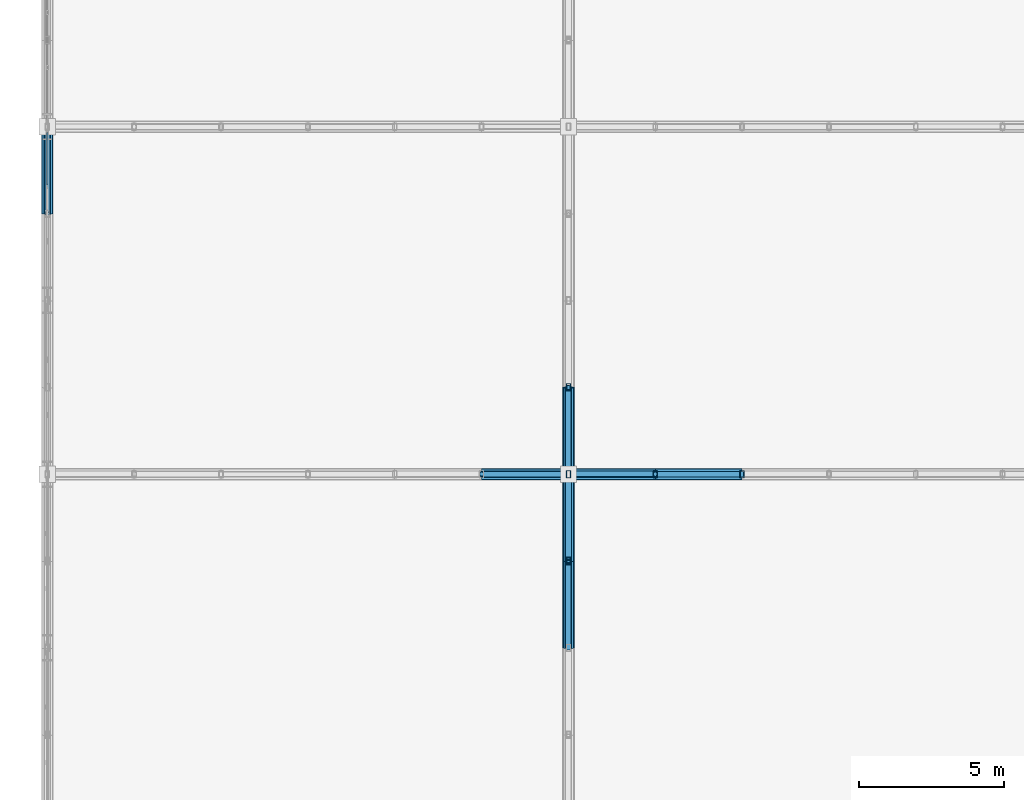
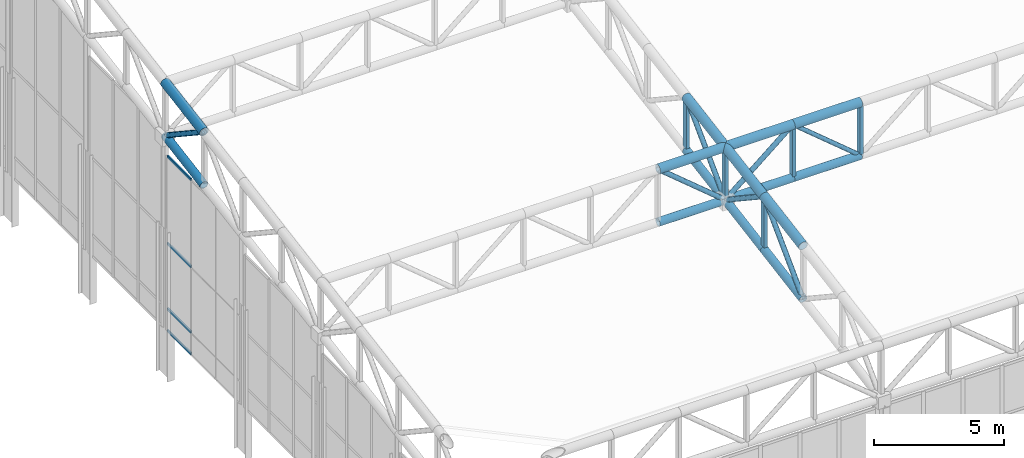
# One storey, part 39 of 239: 30 members, 1 element without a shape of its own.
"""IFC4 building model written with IfcOpenShell, lengths in metres."""

from ifc_helpers import new_model, si_unit, direction, frame, origin, origin_2d, place, context, subcontext, project, spatial, hollow_rectangle, hollow_circle, extrude, material, material_profile, profile_set, type_object, element, aggregate, save


model = new_model("IFC4")

# Units and contexts
model_context = context("Model", 3, precision=1e-05, world=origin(), true_north=direction((0.0, 1.0)))
body_context = subcontext(model_context, "Body", "Model", "MODEL_VIEW")
ifc_project = project(units=[si_unit("LENGTHUNIT", "METRE"), si_unit("AREAUNIT", "SQUARE_METRE"), si_unit("VOLUMEUNIT", "CUBIC_METRE"), si_unit("PLANEANGLEUNIT", "RADIAN"), si_unit("MASSUNIT", "GRAM", prefix="KILO")], contexts=[model_context])

# Site, building, storey
site_placement = place(None, origin())
site = spatial("IfcSite", under=ifc_project, at=site_placement, CompositionType="ELEMENT")
building_placement = place(site_placement, origin())
building = spatial("IfcBuilding", under=site, at=building_placement, Name="Kaldris Quays Convention Centre", CompositionType="ELEMENT")
storey_placement = place(building_placement, frame((0.0, 0.0, 11.39990234375)))
storey = spatial("IfcBuildingStorey", under=building, at=storey_placement, Name="L02", CompositionType="ELEMENT", Elevation=11.39990234375)

# Curtain wall, members
ifc_material_1 = material(Name="Anodized aluminium AW-6060 and triple glazing", Category="aluminium")
curtain_wall_type = type_object("IfcCurtainWallType", Name="UNITISED CURTAIN WALL CW03", PredefinedType="NOTDEFINED", material=ifc_material_1)
curtain_wall_placement = place(storey_placement, origin())
curtain_wall = element("IfcCurtainWall", 1, at=curtain_wall_placement, inside=storey, type_object=curtain_wall_type, Name="L02 Unitised Curtain Wall CW03 216", PredefinedType="NOTDEFINED")
ifc_material_2 = material(Name="Anodized aluminium AW-6060", Category="aluminium")
ifc_material_profile_1 = material_profile(ifc_material_2, hollow_rectangle(XDim=0.06005859375, YDim=0.1201171875, WallThickness=0.00390625, at=origin_2d()), Name="RHS 120x60x4")
ifc_profile_set_1 = profile_set([ifc_material_profile_1], Name="Anodized aluminium AW-6060")
member_type_1 = type_object("IfcMemberType", Name="CURTAIN TRANSOM CWT1", PredefinedType="USERDEFINED", material=ifc_profile_set_1)
member_1_placement = place(storey_placement, frame((20.0, 77.9833984375, 2.22509765625), z_axis=(0.0, 1.0, 0.0), x_axis=(-1.0, 0.0, 0.0)))
member_1 = element("IfcMember", 2, at=member_1_placement, type_object=member_type_1, Name="CW03 transom 3.1", ObjectType="TRANSOM", PredefinedType="USERDEFINED", context=body_context, shape_type="SweptSolid", body=[
    extrude(hollow_rectangle(XDim=0.06005859375, YDim=0.1201171875, WallThickness=0.00390625, at=origin_2d()), origin(), (0.0, 0.0, 1.0), 1.816650390625),
])
member_2_placement = place(storey_placement, frame((20.0, 77.9833984375, 3.2451171875), z_axis=(0.0, 1.0, 0.0), x_axis=(-1.0, 0.0, 0.0)))
member_2 = element("IfcMember", 3, at=member_2_placement, type_object=member_type_1, Name="CW03 transom 3.2", ObjectType="TRANSOM", PredefinedType="USERDEFINED", context=body_context, shape_type="SweptSolid", body=[
    extrude(hollow_rectangle(XDim=0.06005859375, YDim=0.1201171875, WallThickness=0.00390625, at=origin_2d()), origin(), (0.0, 0.0, 1.0), 1.816650390625),
])
member_3_placement = place(storey_placement, frame((20.0, 77.9833984375, 6.322998046875), z_axis=(0.0, 1.0, 0.0), x_axis=(-1.0, 0.0, 0.0)))
member_3 = element("IfcMember", 4, at=member_3_placement, type_object=member_type_1, Name="CW03 transom 3.3", ObjectType="TRANSOM", PredefinedType="USERDEFINED", context=body_context, shape_type="SweptSolid", body=[
    extrude(hollow_rectangle(XDim=0.06005859375, YDim=0.1201171875, WallThickness=0.00390625, at=origin_2d()), origin(), (0.0, 0.0, 1.0), 1.816650390625),
])
member_4_placement = place(storey_placement, frame((20.0, 77.9833984375, 10.420166015625), z_axis=(0.0, 1.0, 0.0), x_axis=(-1.0, 0.0, 0.0)))
member_4 = element("IfcMember", 5, at=member_4_placement, type_object=member_type_1, Name="CW03 transom 3.4", ObjectType="TRANSOM", PredefinedType="USERDEFINED", context=body_context, shape_type="SweptSolid", body=[
    extrude(hollow_rectangle(XDim=0.06005859375, YDim=0.1201171875, WallThickness=0.00390625, at=origin_2d()), origin(), (0.0, 0.0, 1.0), 1.816650390625),
])
aggregate(curtain_wall, [member_1, member_2, member_3, member_4])

# Members
ifc_material_3 = material(Name="Steel S355J2H", Category="steel")
ifc_material_profile_2 = material_profile(ifc_material_3, hollow_circle(Radius=0.203125, WallThickness=0.01611328125, at=origin_2d()), Name="CHS 406.4x16")
ifc_profile_set_2 = profile_set([ifc_material_profile_2], Name="Steel S355J2H")
member_type_2 = type_object("IfcMemberType", Name="STRUCTURAL MEMBER SC01", PredefinedType="CHORD", material=ifc_profile_set_2)
for number, where, z_axis, x_axis, name in (
    (6, (35.0, 68.0, 11.72900390625), (1.0, 0.0, 0.0), (0.0, 1.0, 0.0), "SF-V1 Top Chord X 48"),
    (7, (38.0, 68.0, 11.72900390625), (1.0, 0.0, 0.0), (0.0, 1.0, 0.0), "SF-V1 Top Chord X 49"),
    (8, (41.0, 68.0, 11.72900390625), (1.0, 0.0, 0.0), (0.0, 1.0, 0.0), "SF-V1 Top Chord X 50"),
):
    element("IfcMember", number, at=place(storey_placement, frame(where, z_axis=z_axis, x_axis=x_axis)), inside=storey, type_object=member_type_2, Name=name, PredefinedType="CHORD", context=body_context, shape_type="SweptSolid", body=[
        extrude(hollow_circle(Radius=0.203125, WallThickness=0.01611328125, at=origin_2d()), origin(), (0.0, 0.0, 1.0), 3.0),
    ])
for number, where, z_axis, x_axis, name in (
    (9, (20.0, 77.0, 13.27197265625), (0.0, 0.98562912375, 0.168923741424), (-1.0, 0.0, 0.0), "SF-V1 Top Chord Y 344"),
    (10, (38.0, 62.0, 10.700439453125), (0.0, 0.985615766076, 0.169001661712), (-1.0, 0.0, 0.0), "SF-V1 Top Chord Y 367"),
    (11, (38.0, 65.0, 11.21484375), (0.0, 0.98562912375, 0.168923741424), (-1.0, 0.0, 0.0), "SF-V1 Top Chord Y 368"),
    (12, (38.0, 68.0, 11.72900390625), (0.0, 0.985615766076, 0.169001661712), (-1.0, 0.0, 0.0), "SF-V1 Top Chord Y 369"),
):
    element("IfcMember", number, at=place(storey_placement, frame(where, z_axis=z_axis, x_axis=x_axis)), inside=storey, type_object=member_type_2, Name=name, PredefinedType="CHORD", context=body_context, shape_type="SweptSolid", body=[
        extrude(hollow_circle(Radius=0.203125, WallThickness=0.01611328125, at=origin_2d()), origin(), (0.0, 0.0, 1.0), 3.043701171875),
    ])
ifc_material_profile_3 = material_profile(ifc_material_3, hollow_circle(Radius=0.177734375, WallThickness=0.01611328125, at=origin_2d()), Name="CHS 355.6x16")
ifc_profile_set_3 = profile_set([ifc_material_profile_3], Name="Steel S355J2H")
member_type_3 = type_object("IfcMemberType", Name="STRUCTURAL MEMBER SC02", PredefinedType="CHORD", material=ifc_profile_set_3)
for number, where, z_axis, x_axis, name in (
    (13, (35.0, 68.0, 9.22900390625), (1.0, 0.0, 0.0), (0.0, 1.0, 0.0), "SF-V1 Bottom Chord X 48"),
    (14, (38.0, 68.0, 9.22900390625), (1.0, 0.0, 0.0), (0.0, 1.0, 0.0), "SF-V1 Bottom Chord X 49"),
    (15, (41.0, 68.0, 9.22900390625), (1.0, 0.0, 0.0), (0.0, 1.0, 0.0), "SF-V1 Bottom Chord X 50"),
):
    element("IfcMember", number, at=place(storey_placement, frame(where, z_axis=z_axis, x_axis=x_axis)), inside=storey, type_object=member_type_3, Name=name, PredefinedType="CHORD", context=body_context, shape_type="SweptSolid", body=[
        extrude(hollow_circle(Radius=0.177734375, WallThickness=0.01611328125, at=origin_2d()), origin(), (0.0, 0.0, 1.0), 3.0),
    ])
for number, where, z_axis, x_axis, name in (
    (16, (20.0, 77.0, 10.77197265625), (0.0, 0.98562912375, 0.168923741424), (-1.0, 0.0, 0.0), "SF-V1 Bottom Chord Y 344"),
    (17, (38.0, 62.0, 8.200439453125), (0.0, 0.985615766076, 0.169001661712), (-1.0, 0.0, 0.0), "SF-V1 Bottom Chord Y 367"),
    (18, (38.0, 65.0, 8.71484375), (0.0, 0.98562912375, 0.168923741424), (-1.0, 0.0, 0.0), "SF-V1 Bottom Chord Y 368"),
    (19, (38.0, 68.0, 9.22900390625), (0.0, 0.985615766076, 0.169001661712), (-1.0, 0.0, 0.0), "SF-V1 Bottom Chord Y 369"),
):
    element("IfcMember", number, at=place(storey_placement, frame(where, z_axis=z_axis, x_axis=x_axis)), inside=storey, type_object=member_type_3, Name=name, PredefinedType="CHORD", context=body_context, shape_type="SweptSolid", body=[
        extrude(hollow_circle(Radius=0.177734375, WallThickness=0.01611328125, at=origin_2d()), origin(), (0.0, 0.0, 1.0), 3.043701171875),
    ])
ifc_material_profile_4 = material_profile(ifc_material_3, hollow_circle(Radius=0.109619140625, WallThickness=0.010009765625, at=origin_2d()), Name="CHS 219.1x10")
ifc_profile_set_4 = profile_set([ifc_material_profile_4], Name="Steel S355J2H")
member_type_4 = type_object("IfcMemberType", Name="STRUCTURAL MEMBER SWB1", PredefinedType="BRACE", material=ifc_profile_set_4)
for number, where, z_axis, x_axis, name in (
    (20, (38.0, 68.0, 9.22900390625), (-0.768221279597, 0.0, 0.640184399664), (0.0, -1.0, 0.0), "SF-V1 Web Diagonal X 48"),
    (21, (38.0, 68.0, 9.22900390625), (0.768221279597, 0.0, 0.640184399664), (0.0, 1.0, 0.0), "SF-V1 Web Diagonal X 49"),
):
    element("IfcMember", number, at=place(storey_placement, frame(where, z_axis=z_axis, x_axis=x_axis)), inside=storey, type_object=member_type_4, Name=name, PredefinedType="BRACE", context=body_context, shape_type="SweptSolid", body=[
        extrude(hollow_circle(Radius=0.109619140625, WallThickness=0.010009765625, at=origin_2d()), origin(), (0.0, 0.0, 1.0), 3.905029296875),
    ])
member_5_placement = place(storey_placement, frame((20.0, 80.0, 11.2861328125), z_axis=(0.0, -0.833862389808, 0.551972385962), x_axis=(1.0, 0.0, 0.0)))
element("IfcMember", 22, at=member_5_placement, inside=storey, type_object=member_type_4, Name="SF-V1 Web Diagonal Y 344", PredefinedType="BRACE", context=body_context, shape_type="SweptSolid", body=[
    extrude(hollow_circle(Radius=0.109619140625, WallThickness=0.010009765625, at=origin_2d()), origin(), (0.0, 0.0, 1.0), 3.59765625),
])
member_6_placement = place(storey_placement, frame((38.0, 62.0, 8.200439453125), z_axis=(0.0, 0.705411261057, 0.708798245465), x_axis=(-1.0, 0.0, 0.0)))
element("IfcMember", 23, at=member_6_placement, inside=storey, type_object=member_type_4, Name="SF-V1 Web Diagonal Y 367", PredefinedType="BRACE", context=body_context, shape_type="SweptSolid", body=[
    extrude(hollow_circle(Radius=0.109619140625, WallThickness=0.010009765625, at=origin_2d()), origin(), (0.0, 0.0, 1.0), 4.2529296875),
])
member_7_placement = place(storey_placement, frame((38.0, 68.0, 9.22900390625), z_axis=(0.0, -0.833862389808, 0.551972385962), x_axis=(1.0, 0.0, 0.0)))
element("IfcMember", 24, at=member_7_placement, inside=storey, type_object=member_type_4, Name="SF-V1 Web Diagonal Y 368", PredefinedType="BRACE", context=body_context, shape_type="SweptSolid", body=[
    extrude(hollow_circle(Radius=0.109619140625, WallThickness=0.010009765625, at=origin_2d()), origin(), (0.0, 0.0, 1.0), 3.59765625),
])
member_8_placement = place(storey_placement, frame((38.0, 68.0, 9.22900390625), z_axis=(0.0, 0.705411261057, 0.708798245465), x_axis=(-1.0, 0.0, 0.0)))
element("IfcMember", 25, at=member_8_placement, inside=storey, type_object=member_type_4, Name="SF-V1 Web Diagonal Y 369", PredefinedType="BRACE", context=body_context, shape_type="SweptSolid", body=[
    extrude(hollow_circle(Radius=0.109619140625, WallThickness=0.010009765625, at=origin_2d()), origin(), (0.0, 0.0, 1.0), 4.2529296875),
])
ifc_material_profile_5 = material_profile(ifc_material_3, hollow_circle(Radius=0.096923828125, WallThickness=0.008056640625, at=origin_2d()), Name="CHS 193.7x8")
ifc_profile_set_5 = profile_set([ifc_material_profile_5], Name="Steel S355J2H")
member_type_5 = type_object("IfcMemberType", Name="STRUCTURAL MEMBER SWB3", PredefinedType="BRACE", material=ifc_profile_set_5)
member_9_placement = place(storey_placement, frame((44.0, 68.0, 9.22900390625), z_axis=(-0.768221279597, 0.0, 0.640184399664), x_axis=(0.0, -1.0, 0.0)))
element("IfcMember", 26, at=member_9_placement, inside=storey, type_object=member_type_5, Name="SF-V1 Web Diagonal X 50", PredefinedType="BRACE", context=body_context, shape_type="SweptSolid", body=[
    extrude(hollow_circle(Radius=0.096923828125, WallThickness=0.008056640625, at=origin_2d()), origin(), (0.0, 0.0, 1.0), 3.905029296875),
])
ifc_material_profile_6 = material_profile(ifc_material_3, hollow_rectangle(XDim=0.14990234375, YDim=0.25, WallThickness=0.010009765625, at=origin_2d()), Name="RHS 250x150x10")
ifc_profile_set_6 = profile_set([ifc_material_profile_6], Name="Steel S355J2H")
member_type_6 = type_object("IfcMemberType", Name="STRUCTURAL MEMBER TTV1", PredefinedType="POST", material=ifc_profile_set_6)
for number, where, z_axis, x_axis, name in (
    (27, (38.0, 65.0, 8.71484375), (0.0, 0.0, 1.0), (1.0, 0.0, 0.0), "SF-V1 Space-Frame Post 73"),
    (28, (38.0, 68.0, 9.22900390625), (0.0, 0.0, 1.0), (1.0, 0.0, 0.0), "SF-V1 Space-Frame Post 74"),
    (29, (38.0, 71.0, 9.743408203125), (0.0, 0.0, 1.0), (1.0, 0.0, 0.0), "SF-V1 Space-Frame Post 75"),
    (30, (41.0, 68.0, 9.22900390625), (0.0, 0.0, 1.0), (1.0, 0.0, 0.0), "SF-V1 Space-Frame Post 100"),
    (31, (44.0, 68.0, 9.22900390625), (0.0, 0.0, 1.0), (1.0, 0.0, 0.0), "SF-V1 Space-Frame Post 108"),
):
    element("IfcMember", number, at=place(storey_placement, frame(where, z_axis=z_axis, x_axis=x_axis)), inside=storey, type_object=member_type_6, Name=name, PredefinedType="POST", context=body_context, shape_type="SweptSolid", body=[
        extrude(hollow_rectangle(XDim=0.14990234375, YDim=0.25, WallThickness=0.010009765625, at=origin_2d()), origin(), (0.0, 0.0, 1.0), 2.5),
    ])

save(model, "model.ifc")
